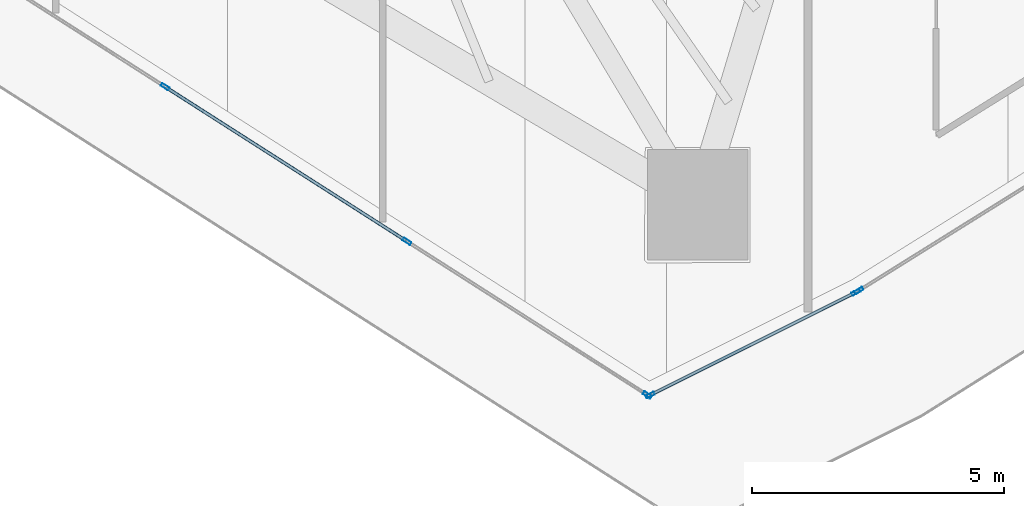
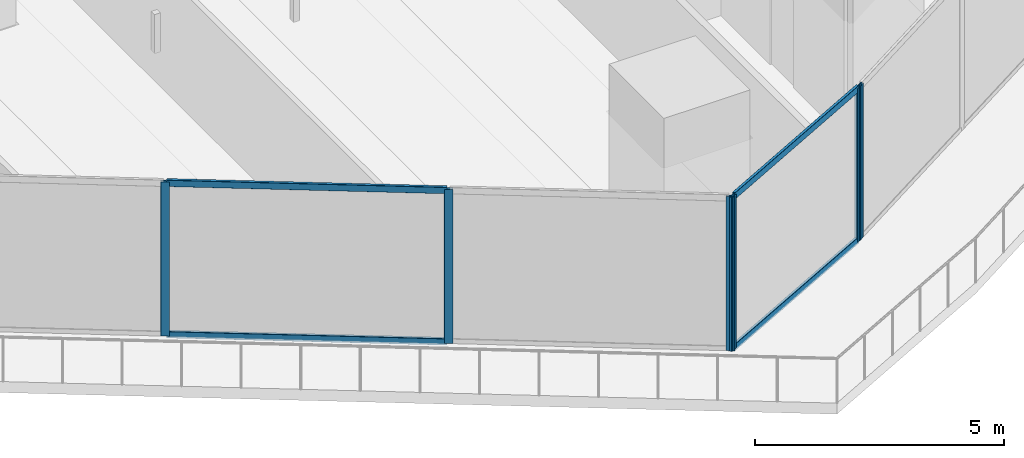
# One storey, part 7 of 35: 10 members, 3 elements without a shape of their own.
"""IFC4 building model written with IfcOpenShell, lengths in metres."""

from ifc_helpers import new_model, si_unit, direction, frame, origin, origin_2d, place, context, subcontext, project, spatial, hollow_rectangle, extrude, material, layer, layer_set, material_profile, profile_set, type_object, element, aggregate, save


model = new_model("IFC4")

# Units and contexts
model_context = context("Model", 3, precision=1e-05, world=origin(), true_north=direction((0.0, 1.0)))
body_context = subcontext(model_context, "Body", "Model", "MODEL_VIEW")
ifc_project = project(units=[si_unit("LENGTHUNIT", "METRE"), si_unit("AREAUNIT", "SQUARE_METRE"), si_unit("VOLUMEUNIT", "CUBIC_METRE"), si_unit("PLANEANGLEUNIT", "RADIAN"), si_unit("MASSUNIT", "GRAM", prefix="KILO")], contexts=[model_context])

# Site, building, storey
site_placement = place(None, origin())
site = spatial("IfcSite", under=ifc_project, at=site_placement, CompositionType="ELEMENT")
building_placement = place(site_placement, origin())
building = spatial("IfcBuilding", under=site, at=building_placement, Name="Qorvath Tower", CompositionType="ELEMENT")
storey_placement = place(building_placement, frame((0.0, 0.0, 166.5)))
storey = spatial("IfcBuildingStorey", under=building, at=storey_placement, Name="L38", CompositionType="ELEMENT", Elevation=166.5)

# Curtain wall, members
ifc_material_1 = material(Name="Anodised aluminium and triple low-E glass", Category="aluminium")
ifc_layer = layer(ifc_material_1, 0.179931640625)
ifc_layer_set = layer_set([ifc_layer], Name="CW-SYS-3")
curtain_wall_type = type_object("IfcCurtainWallType", Name="CW-SYS-3", PredefinedType="NOTDEFINED", material=ifc_layer_set)
curtain_wall_1_placement = place(storey_placement, origin())
curtain_wall_1 = element("IfcCurtainWall", 1, at=curtain_wall_1_placement, inside=storey, type_object=curtain_wall_type, Name="Curtain Wall CW-3 CW-T-L38-2.2", PredefinedType="NOTDEFINED")
ifc_material_2 = material(Name="Anodised aluminium 6063-T6", Category="aluminium")
ifc_material_profile_1 = material_profile(ifc_material_2, hollow_rectangle(XDim=0.06494140625, YDim=0.179931640625, WallThickness=0.00341796875, InnerFilletRadius=0.00341796875, OuterFilletRadius=0.007080078125, at=origin_2d()), Name="CWM 180x65")
ifc_profile_set_1 = profile_set([ifc_material_profile_1], Name="Anodised aluminium 6063-T6")
member_type_1 = type_object("IfcMemberType", Name="CWM-180", PredefinedType="MULLION", material=ifc_profile_set_1)
member_1_placement = place(storey_placement, frame((-25.928955078125, -22.9013671875, 0.0), z_axis=(0.0, 0.0, 1.0), x_axis=(0.53853443311, 0.842603503645, 0.0)))
member_1 = element("IfcMember", 2, at=member_1_placement, type_object=member_type_1, Name="CW-3 mullion 2", PredefinedType="MULLION", context=body_context, shape_type="SweptSolid", body=[
    extrude(hollow_rectangle(XDim=0.06494140625, YDim=0.179931640625, WallThickness=0.00341796875, InnerFilletRadius=0.00341796875, OuterFilletRadius=0.007080078125, at=origin_2d()), origin(), (0.0, 0.0, 1.0), 3.780029296875),
])
member_2_placement = place(storey_placement, frame((-21.123779296875, -25.97265625, 0.0), z_axis=(0.0, 0.0, 1.0), x_axis=(0.53853443311, 0.842603503645, 0.0)))
member_2 = element("IfcMember", 3, at=member_2_placement, type_object=member_type_1, Name="CW-3 mullion 3", PredefinedType="MULLION", context=body_context, shape_type="SweptSolid", body=[
    extrude(hollow_rectangle(XDim=0.06494140625, YDim=0.179931640625, WallThickness=0.00341796875, InnerFilletRadius=0.00341796875, OuterFilletRadius=0.007080078125, at=origin_2d()), origin(), (0.0, 0.0, 1.0), 3.780029296875),
])
member_3_placement = place(storey_placement, frame((-16.345947265625, -29.026123046875, 0.0), z_axis=(0.0, 0.0, 1.0), x_axis=(0.53853443311, 0.842603503645, 0.0)))
member_3 = element("IfcMember", 4, at=member_3_placement, type_object=member_type_1, Name="CW-3 mullion 4", PredefinedType="MULLION", context=body_context, shape_type="SweptSolid", body=[
    extrude(hollow_rectangle(XDim=0.06494140625, YDim=0.179931640625, WallThickness=0.00341796875, InnerFilletRadius=0.00341796875, OuterFilletRadius=0.007080078125, at=origin_2d()), origin(), (0.0, 0.0, 1.0), 3.780029296875),
])

curtain_wall_2_placement = place(storey_placement, origin())
curtain_wall_2 = element("IfcCurtainWall", 5, at=curtain_wall_2_placement, inside=storey, type_object=curtain_wall_type, Name="Curtain Wall CW-3 CW-T-L38-3.1", PredefinedType="NOTDEFINED")
member_4_placement = place(storey_placement, frame((-16.28955078125, -29.029052734375, 0.0), z_axis=(0.0, 0.0, 1.0), x_axis=(-0.447222218703, 0.894422879346, 0.0)))
member_4 = element("IfcMember", 6, at=member_4_placement, type_object=member_type_1, Name="CW-3 mullion 1", PredefinedType="MULLION", context=body_context, shape_type="SweptSolid", body=[
    extrude(hollow_rectangle(XDim=0.06494140625, YDim=0.179931640625, WallThickness=0.00341796875, InnerFilletRadius=0.00341796875, OuterFilletRadius=0.007080078125, at=origin_2d()), origin(), (0.0, 0.0, 1.0), 3.780029296875),
])
member_5_placement = place(storey_placement, frame((-12.19873046875, -26.983642578125, 0.0), z_axis=(0.0, 0.0, 1.0), x_axis=(-0.447222218703, 0.894422879346, 0.0)))
member_5 = element("IfcMember", 7, at=member_5_placement, type_object=member_type_1, Name="CW-3 mullion 2", PredefinedType="MULLION", context=body_context, shape_type="SweptSolid", body=[
    extrude(hollow_rectangle(XDim=0.06494140625, YDim=0.179931640625, WallThickness=0.00341796875, InnerFilletRadius=0.00341796875, OuterFilletRadius=0.007080078125, at=origin_2d()), origin(), (0.0, 0.0, 1.0), 3.780029296875),
])

# Curtain wall, member
curtain_wall_3_placement = place(storey_placement, origin())
curtain_wall_3 = element("IfcCurtainWall", 8, at=curtain_wall_3_placement, inside=storey, type_object=curtain_wall_type, Name="Curtain Wall CW-3 CW-T-L38-4.1", PredefinedType="NOTDEFINED")
member_6_placement = place(storey_placement, frame((-12.14208984375, -26.951904296875, 0.0), z_axis=(0.0, 0.0, 1.0), x_axis=(-0.529328282744, 0.848417096178, 0.0)))
member_6 = element("IfcMember", 9, at=member_6_placement, type_object=member_type_1, Name="CW-3 mullion 1", PredefinedType="MULLION", context=body_context, shape_type="SweptSolid", body=[
    extrude(hollow_rectangle(XDim=0.06494140625, YDim=0.179931640625, WallThickness=0.00341796875, InnerFilletRadius=0.00341796875, OuterFilletRadius=0.007080078125, at=origin_2d()), origin(), (0.0, 0.0, 1.0), 3.780029296875),
])
aggregate(curtain_wall_3, [member_6])

# Member
ifc_material_3 = material(Name="Anodised aluminium 6063-T6", Category="aluminium")
ifc_material_profile_2 = material_profile(ifc_material_3, hollow_rectangle(XDim=0.06494140625, YDim=0.159912109375, WallThickness=0.00341796875, InnerFilletRadius=0.00341796875, OuterFilletRadius=0.007080078125, at=origin_2d()), Name="CWT 160x65")
ifc_profile_set_2 = profile_set([ifc_material_profile_2], Name="Anodised aluminium 6063-T6")
member_type_2 = type_object("IfcMemberType", Name="CWT-160", PredefinedType="USERDEFINED", material=ifc_profile_set_2)
member_7_placement = place(storey_placement, frame((-25.901611328125, -22.9189453125, 0.032470703125), z_axis=(0.842607837252, -0.538527652588, 0.0), x_axis=(0.538527652588, 0.842607837252, 0.0)))
member_7 = element("IfcMember", 10, at=member_7_placement, type_object=member_type_2, Name="CW-3 transom 2.1", ObjectType="TRANSOM", PredefinedType="USERDEFINED", context=body_context, shape_type="SweptSolid", body=[
    extrude(hollow_rectangle(XDim=0.06494140625, YDim=0.159912109375, WallThickness=0.00341796875, InnerFilletRadius=0.00341796875, OuterFilletRadius=0.007080078125, at=origin_2d()), origin(), (0.0, 0.0, 1.0), 5.637939453125),
])

member_8_placement = place(storey_placement, frame((-25.901611328125, -22.9189453125, 3.74755859375), z_axis=(0.842607837252, -0.538527652588, 0.0), x_axis=(0.538527652588, 0.842607837252, 0.0)))
member_8 = element("IfcMember", 11, at=member_8_placement, type_object=member_type_2, Name="CW-3 transom 2.2", ObjectType="TRANSOM", PredefinedType="USERDEFINED", context=body_context, shape_type="SweptSolid", body=[
    extrude(hollow_rectangle(XDim=0.06494140625, YDim=0.159912109375, WallThickness=0.00341796875, InnerFilletRadius=0.00341796875, OuterFilletRadius=0.007080078125, at=origin_2d()), origin(), (0.0, 0.0, 1.0), 5.637939453125),
])

aggregate(curtain_wall_1, [member_1, member_2, member_3, member_7, member_8])

member_9_placement = place(storey_placement, frame((-16.260498046875, -29.0146484375, 0.032470703125), z_axis=(0.894427191, 0.4472135955, 0.0), x_axis=(-0.4472135955, 0.894427191, 0.0)))
member_9 = element("IfcMember", 12, at=member_9_placement, type_object=member_type_2, Name="CW-3 transom 1.1", ObjectType="TRANSOM", PredefinedType="USERDEFINED", context=body_context, shape_type="SweptSolid", body=[
    extrude(hollow_rectangle(XDim=0.06494140625, YDim=0.159912109375, WallThickness=0.00341796875, InnerFilletRadius=0.00341796875, OuterFilletRadius=0.007080078125, at=origin_2d()), origin(), (0.0, 0.0, 1.0), 4.5087890625),
])

member_10_placement = place(storey_placement, frame((-16.260498046875, -29.0146484375, 3.74755859375), z_axis=(0.894427191, 0.4472135955, 0.0), x_axis=(-0.4472135955, 0.894427191, 0.0)))
member_10 = element("IfcMember", 13, at=member_10_placement, type_object=member_type_2, Name="CW-3 transom 1.2", ObjectType="TRANSOM", PredefinedType="USERDEFINED", context=body_context, shape_type="SweptSolid", body=[
    extrude(hollow_rectangle(XDim=0.06494140625, YDim=0.159912109375, WallThickness=0.00341796875, InnerFilletRadius=0.00341796875, OuterFilletRadius=0.007080078125, at=origin_2d()), origin(), (0.0, 0.0, 1.0), 4.5087890625),
])

aggregate(curtain_wall_2, [member_4, member_5, member_9, member_10])

save(model, "model.ifc")
